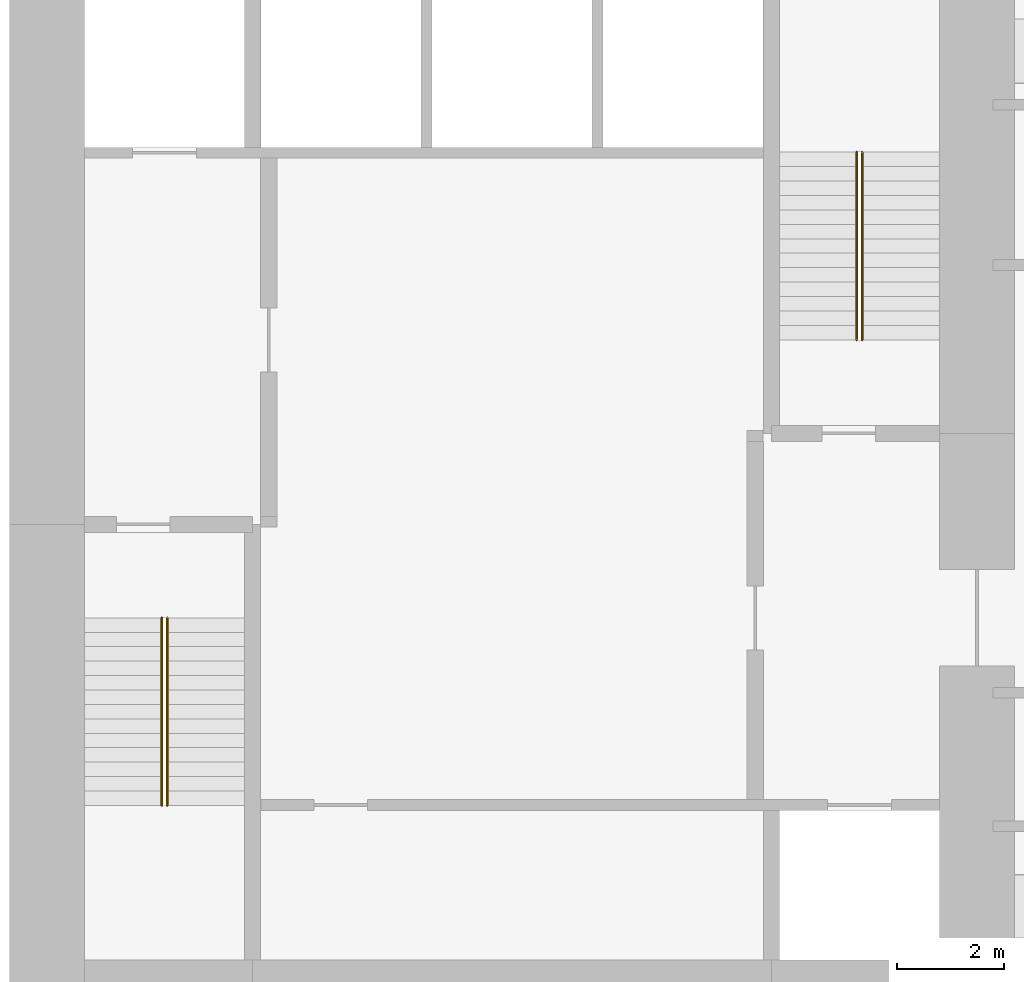
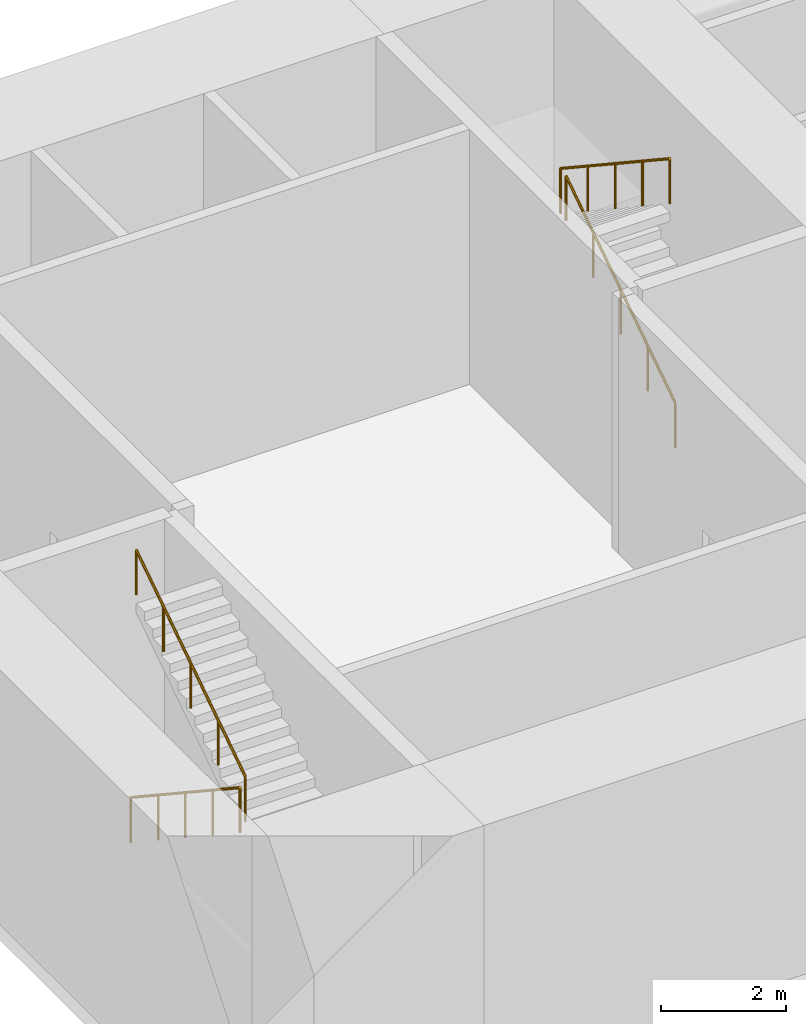
# One storey, part 7 of 7: 4 railings.
"""IFC4 building model written with IfcOpenShell, lengths in metres."""

from ifc_helpers import new_model, si_unit, direction, frame, origin, origin_2d, place, context, subcontext, project, spatial, circle, extrude, material, type_object, element, save


model = new_model("IFC4")

# Units and contexts
model_context = context("Model", 3, precision=1e-05, world=origin(), true_north=direction((0.0, 1.0)))
body_context = subcontext(model_context, "Body", "Model", "MODEL_VIEW")
ifc_project = project(units=[si_unit("LENGTHUNIT", "METRE"), si_unit("AREAUNIT", "SQUARE_METRE"), si_unit("VOLUMEUNIT", "CUBIC_METRE"), si_unit("PLANEANGLEUNIT", "RADIAN"), si_unit("MASSUNIT", "GRAM", prefix="KILO")], contexts=[model_context])

# Site, building, storey
site_placement = place(None, origin())
site = spatial("IfcSite", under=ifc_project, at=site_placement, CompositionType="ELEMENT")
building_placement = place(site_placement, origin())
building = spatial("IfcBuilding", under=site, at=building_placement, Name="Cleftline Residences", CompositionType="ELEMENT")
storey_placement = place(building_placement, frame((0.0, 0.0, 291.60009765625)))
storey = spatial("IfcBuildingStorey", under=building, at=storey_placement, Name="L76", CompositionType="ELEMENT", Elevation=291.60009765625)

# Railings
ifc_material = material(Name="Stainless steel", Category="steel")
railing_type = type_object("IfcRailingType", Name="HANDRAIL 900", PredefinedType="HANDRAIL", material=ifc_material)
railing_1_placement = place(storey_placement, frame((26.449951171875, 21.39990234375, 0.178466796875)))
element("IfcRailing", 1, at=railing_1_placement, inside=storey, type_object=railing_type, Name="Stair handrail", PredefinedType="HANDRAIL", context=body_context, shape_type="SweptSolid", body=[
    extrude(circle(Radius=0.02392578125, at=origin_2d()), frame((0.0, 0.0, 0.8759765625), z_axis=(0.0, -0.834070780157, 0.551657442339), x_axis=(1.0, 0.0, 0.0)), (0.0, 0.0, 1.0), 4.208251953125),
    extrude(circle(Radius=0.02099609375, at=origin_2d()), origin(), (0.0, 0.0, 1.0), 0.851806640625),
    extrude(circle(Radius=0.02099609375, at=origin_2d()), frame((0.0, -0.87744140625, 0.580322265625)), (0.0, 0.0, 1.0), 0.851806640625),
    extrude(circle(Radius=0.02099609375, at=origin_2d()), frame((0.0, -1.7548828125, 1.16064453125)), (0.0, 0.0, 1.0), 0.851806640625),
    extrude(circle(Radius=0.02099609375, at=origin_2d()), frame((0.0, -2.632568359375, 1.7412109375)), (0.0, 0.0, 1.0), 0.851806640625),
    extrude(circle(Radius=0.02099609375, at=origin_2d()), frame((0.0, -3.510009765625, 2.321533203125)), (0.0, 0.0, 1.0), 0.851806640625),
])
for number, where, name in (
    (2, (26.550048828125, 17.889892578125, 2.678466796875), "Stair handrail"),
    (3, (39.550048828125, 26.60009765625, 0.178466796875), "Stair handrail"),
):
    element("IfcRailing", number, at=place(storey_placement, frame(where)), inside=storey, type_object=railing_type, Name=name, PredefinedType="HANDRAIL", context=body_context, shape_type="SweptSolid", body=[
        extrude(circle(Radius=0.02392578125, at=origin_2d()), frame((0.0, 0.0, 0.8759765625), z_axis=(0.0, 0.834070780157, 0.551657442339), x_axis=(-1.0, 0.0, 0.0)), (0.0, 0.0, 1.0), 4.208251953125),
        extrude(circle(Radius=0.02099609375, at=origin_2d()), origin(), (0.0, 0.0, 1.0), 0.851806640625),
        extrude(circle(Radius=0.02099609375, at=origin_2d()), frame((0.0, 0.87744140625, 0.580322265625)), (0.0, 0.0, 1.0), 0.851806640625),
        extrude(circle(Radius=0.02099609375, at=origin_2d()), frame((0.0, 1.7548828125, 1.16064453125)), (0.0, 0.0, 1.0), 0.851806640625),
        extrude(circle(Radius=0.02099609375, at=origin_2d()), frame((0.0, 2.632568359375, 1.7412109375)), (0.0, 0.0, 1.0), 0.851806640625),
        extrude(circle(Radius=0.02099609375, at=origin_2d()), frame((0.0, 3.510009765625, 2.321533203125)), (0.0, 0.0, 1.0), 0.851806640625),
    ])
railing_2_placement = place(storey_placement, frame((39.449951171875, 30.110107421875, 2.678466796875)))
element("IfcRailing", 4, at=railing_2_placement, inside=storey, type_object=railing_type, Name="Stair handrail", PredefinedType="HANDRAIL", context=body_context, shape_type="SweptSolid", body=[
    extrude(circle(Radius=0.02392578125, at=origin_2d()), frame((0.0, 0.0, 0.8759765625), z_axis=(0.0, -0.834070780157, 0.551657442339), x_axis=(1.0, 0.0, 0.0)), (0.0, 0.0, 1.0), 4.208251953125),
    extrude(circle(Radius=0.02099609375, at=origin_2d()), origin(), (0.0, 0.0, 1.0), 0.851806640625),
    extrude(circle(Radius=0.02099609375, at=origin_2d()), frame((0.0, -0.87744140625, 0.580322265625)), (0.0, 0.0, 1.0), 0.851806640625),
    extrude(circle(Radius=0.02099609375, at=origin_2d()), frame((0.0, -1.7548828125, 1.16064453125)), (0.0, 0.0, 1.0), 0.851806640625),
    extrude(circle(Radius=0.02099609375, at=origin_2d()), frame((0.0, -2.632568359375, 1.7412109375)), (0.0, 0.0, 1.0), 0.851806640625),
    extrude(circle(Radius=0.02099609375, at=origin_2d()), frame((0.0, -3.510009765625, 2.321533203125)), (0.0, 0.0, 1.0), 0.851806640625),
])

save(model, "model.ifc")
